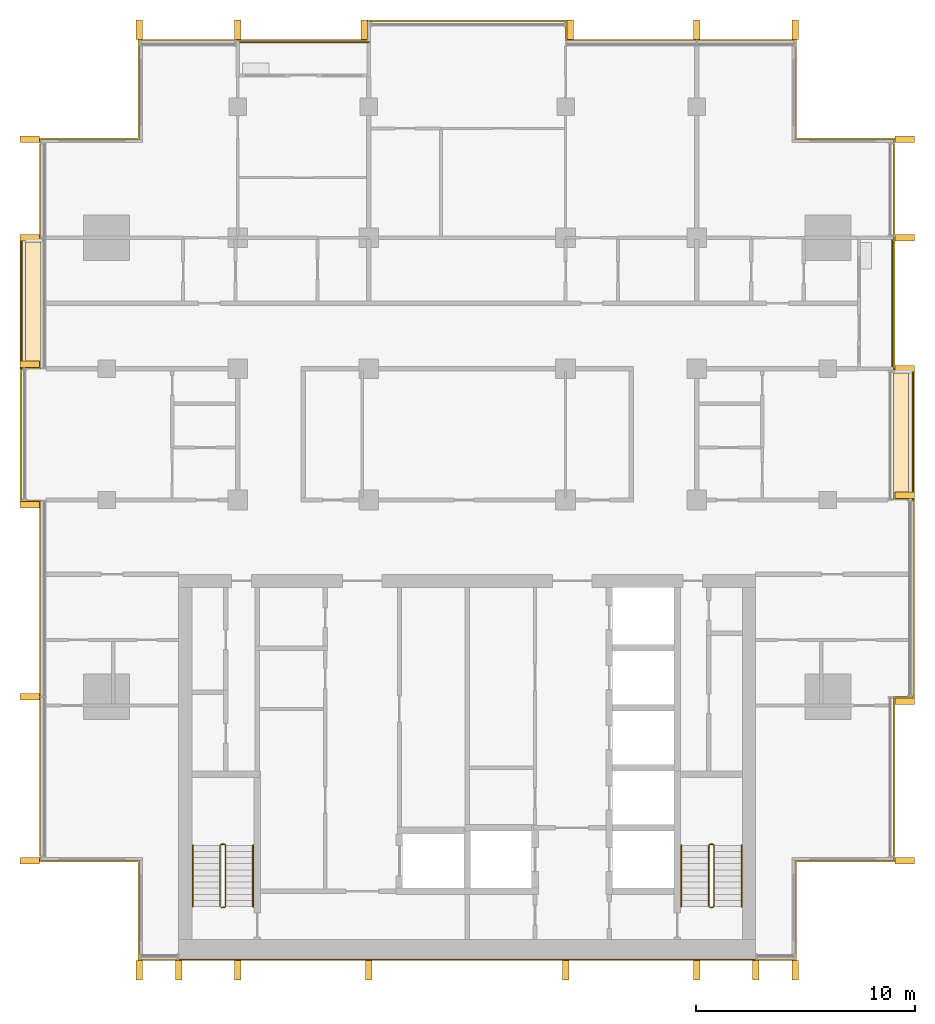
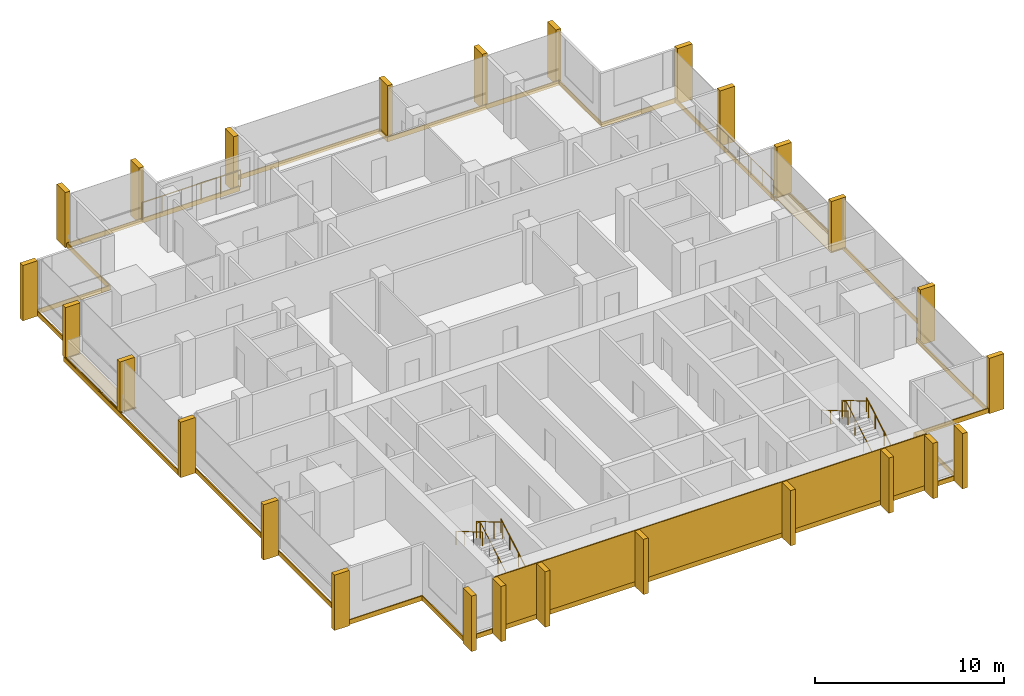
# One storey, part 16 of 16: 26 shading devices, 10 coverings, 8 railings.
"""IFC4 building model written with IfcOpenShell, lengths in metres."""

from ifc_helpers import new_model, si_unit, direction, frame, origin, origin_2d, place, context, subcontext, project, spatial, polyline, rectangle, circle, outline, extrude, material, layer, layer_set, type_object, element, save


model = new_model("IFC4")

# Units and contexts
model_context = context("Model", 3, precision=1e-05, world=origin(), true_north=direction((0.0, 1.0)))
body_context = subcontext(model_context, "Body", "Model", "MODEL_VIEW")
ifc_project = project(units=[si_unit("LENGTHUNIT", "METRE"), si_unit("AREAUNIT", "SQUARE_METRE"), si_unit("VOLUMEUNIT", "CUBIC_METRE"), si_unit("PLANEANGLEUNIT", "RADIAN"), si_unit("MASSUNIT", "GRAM", prefix="KILO")], contexts=[model_context])

# Site, building, storey
site_placement = place(None, origin())
site = spatial("IfcSite", under=ifc_project, at=site_placement, CompositionType="ELEMENT")
building_placement = place(site_placement, origin())
building = spatial("IfcBuilding", under=site, at=building_placement, Name="Finial Court Residences", CompositionType="ELEMENT")
storey_placement = place(building_placement, frame((0.0, 0.0, 237.5)))
storey = spatial("IfcBuildingStorey", under=building, at=storey_placement, Name="L60", CompositionType="ELEMENT", Elevation=237.5)

# Railings
ifc_material_1 = material(Name="Bronze anodised aluminium", Category="aluminium")
railing_type_1 = type_object("IfcRailingType", Name="Balcony guard 1100", PredefinedType="GUARDRAIL", material=ifc_material_1)
railing_1_placement = place(storey_placement, frame((-10.5, 16.449951171875, 0.0)))
element("IfcRailing", 1, at=railing_1_placement, inside=storey, type_object=railing_type_1, Name="E-L60-BALN2-R", PredefinedType="GUARDRAIL", context=body_context, shape_type="SweptSolid", body=[
    extrude(circle(Radius=0.02392578125, at=origin_2d()), frame((0.0, 0.0, 1.076171875), z_axis=(1.0, 0.0, 0.0), x_axis=(0.0, 1.0, 0.0)), (0.0, 0.0, 1.0), 6.0),
    extrude(circle(Radius=0.02099609375, at=origin_2d()), origin(), (0.0, 0.0, 1.0), 1.052001953125),
    extrude(circle(Radius=0.02099609375, at=origin_2d()), frame((1.199951171875, 0.0, 0.0)), (0.0, 0.0, 1.0), 1.052001953125),
    extrude(circle(Radius=0.02099609375, at=origin_2d()), frame((2.39990234375, 0.0, 0.0)), (0.0, 0.0, 1.0), 1.052001953125),
    extrude(circle(Radius=0.02099609375, at=origin_2d()), frame((3.60009765625, 0.0, 0.0)), (0.0, 0.0, 1.0), 1.052001953125),
    extrude(circle(Radius=0.02099609375, at=origin_2d()), frame((4.800048828125, 0.0, 0.0)), (0.0, 0.0, 1.0), 1.052001953125),
    extrude(circle(Radius=0.02099609375, at=origin_2d()), frame((6.0, 0.0, 0.0)), (0.0, 0.0, 1.0), 1.052001953125),
])
railing_2_placement = place(storey_placement, frame((19.449951171875, 1.5, 0.0)))
element("IfcRailing", 2, at=railing_2_placement, inside=storey, type_object=railing_type_1, Name="E-L60-BALE4-R", PredefinedType="GUARDRAIL", context=body_context, shape_type="SweptSolid", body=[
    extrude(circle(Radius=0.02392578125, at=origin_2d()), frame((0.0, 0.0, 1.076171875), z_axis=(0.0, 1.0, 0.0), x_axis=(-1.0, 0.0, 0.0)), (0.0, 0.0, 1.0), 6.0),
    extrude(circle(Radius=0.02099609375, at=origin_2d()), origin(), (0.0, 0.0, 1.0), 1.052001953125),
    extrude(circle(Radius=0.02099609375, at=origin_2d()), frame((0.0, 1.199951171875, 0.0)), (0.0, 0.0, 1.0), 1.052001953125),
    extrude(circle(Radius=0.02099609375, at=origin_2d()), frame((0.0, 2.39990234375, 0.0)), (0.0, 0.0, 1.0), 1.052001953125),
    extrude(circle(Radius=0.02099609375, at=origin_2d()), frame((0.0, 3.60009765625, 0.0)), (0.0, 0.0, 1.0), 1.052001953125),
    extrude(circle(Radius=0.02099609375, at=origin_2d()), frame((0.0, 4.800048828125, 0.0)), (0.0, 0.0, 1.0), 1.052001953125),
    extrude(circle(Radius=0.02099609375, at=origin_2d()), frame((0.0, 6.0, 0.0)), (0.0, 0.0, 1.0), 1.052001953125),
])

# Coverings
ifc_material_2 = material(Name="Natural limestone", Category="masonry")
ifc_layer_1 = layer(ifc_material_2, 0.06005859375)
ifc_layer_set_1 = layer_set([ifc_layer_1], Name="Limestone cladding to the blind core face 60")
covering_type_1 = type_object("IfcCoveringType", Name="Limestone cladding to the blind core face 60", PredefinedType="CLADDING", material=ifc_layer_set_1)
covering_1_placement = place(storey_placement, origin())
element("IfcCovering", 3, at=covering_1_placement, inside=storey, type_object=covering_type_1, Name="E-L60-CLAD1", PredefinedType="CLADDING", context=body_context, shape_type="SweptSolid", body=[
    extrude(outline(polyline([(-10.5, -25.56005859375), (-10.5, -25.5), (-13.199951171875, -25.5), (-13.199951171875, -25.56005859375), (-10.5, -25.56005859375)])), origin(), (0.0, 0.0, 1.0), 3.300048828125),
])
covering_2_placement = place(storey_placement, origin())
element("IfcCovering", 4, at=covering_2_placement, inside=storey, type_object=covering_type_1, Name="E-L60-CLAD2", PredefinedType="CLADDING", context=body_context, shape_type="SweptSolid", body=[
    extrude(outline(polyline([(-4.5, -25.56005859375), (-4.5, -25.5), (-10.5, -25.5), (-10.5, -25.56005859375), (-4.5, -25.56005859375)])), origin(), (0.0, 0.0, 1.0), 3.300048828125),
])
covering_3_placement = place(storey_placement, origin())
element("IfcCovering", 5, at=covering_3_placement, inside=storey, type_object=covering_type_1, Name="E-L60-CLAD3", PredefinedType="CLADDING", context=body_context, shape_type="SweptSolid", body=[
    extrude(outline(polyline([(4.5, -25.56005859375), (4.5, -25.5), (-4.5, -25.5), (-4.5, -25.56005859375), (4.5, -25.56005859375)])), origin(), (0.0, 0.0, 1.0), 3.300048828125),
])
covering_4_placement = place(storey_placement, origin())
element("IfcCovering", 6, at=covering_4_placement, inside=storey, type_object=covering_type_1, Name="E-L60-CLAD4", PredefinedType="CLADDING", context=body_context, shape_type="SweptSolid", body=[
    extrude(outline(polyline([(10.5, -25.56005859375), (10.5, -25.5), (4.5, -25.5), (4.5, -25.56005859375), (10.5, -25.56005859375)])), origin(), (0.0, 0.0, 1.0), 3.300048828125),
])
covering_5_placement = place(storey_placement, origin())
element("IfcCovering", 7, at=covering_5_placement, inside=storey, type_object=covering_type_1, Name="E-L60-CLAD5", PredefinedType="CLADDING", context=body_context, shape_type="SweptSolid", body=[
    extrude(outline(polyline([(13.199951171875, -25.56005859375), (13.199951171875, -25.5), (10.5, -25.5), (10.5, -25.56005859375), (13.199951171875, -25.56005859375)])), origin(), (0.0, 0.0, 1.0), 3.300048828125),
])

# Shading devices
shading_device_type = type_object("IfcShadingDeviceType", Name="Limestone fin 300 x 900", PredefinedType="USERDEFINED", material=ifc_material_2)
for number, where, z_axis, x_axis, name in (
    (8, (-15.0, 17.010009765625, -0.300048828125), (0.0, 0.0, 1.0), (1.0, 0.0, 0.0), "E-L60-FIN-N1"),
    (9, (-10.5, 17.010009765625, -0.300048828125), (0.0, 0.0, 1.0), (1.0, 0.0, 0.0), "E-L60-FIN-N2"),
    (10, (-4.7099609375, 17.010009765625, -0.300048828125), (0.0, 0.0, 1.0), (1.0, 0.0, 0.0), "E-L60-FIN-N3"),
    (11, (4.7099609375, 17.010009765625, -0.300048828125), (0.0, 0.0, 1.0), (1.0, 0.0, 0.0), "E-L60-FIN-N4"),
    (12, (10.5, 17.010009765625, -0.300048828125), (0.0, 0.0, 1.0), (1.0, 0.0, 0.0), "E-L60-FIN-N5"),
    (13, (15.0, 17.010009765625, -0.300048828125), (0.0, 0.0, 1.0), (1.0, 0.0, 0.0), "E-L60-FIN-N6"),
):
    element("IfcShadingDevice", number, at=place(storey_placement, frame(where, z_axis=z_axis, x_axis=x_axis)), inside=storey, type_object=shading_device_type, Name=name, ObjectType="FIN", PredefinedType="USERDEFINED", context=body_context, shape_type="SweptSolid", body=[
        extrude(rectangle(XDim=0.300048828125, YDim=0.89990234375, at=origin_2d()), origin(), (0.0, 0.0, 1.0), 3.580078125),
    ])
for number, where, z_axis, x_axis, name in (
    (14, (20.010009765625, -21.0, -0.300048828125), (0.0, 0.0, 1.0), (1.0, 0.0, 0.0), "E-L60-FIN-E7"),
    (15, (20.010009765625, -13.7099609375, -0.300048828125), (0.0, 0.0, 1.0), (1.0, 0.0, 0.0), "E-L60-FIN-E8"),
):
    element("IfcShadingDevice", number, at=place(storey_placement, frame(where, z_axis=z_axis, x_axis=x_axis)), inside=storey, type_object=shading_device_type, Name=name, ObjectType="FIN", PredefinedType="USERDEFINED", context=body_context, shape_type="SweptSolid", body=[
        extrude(rectangle(XDim=0.89990234375, YDim=0.300048828125, at=origin_2d()), origin(), (0.0, 0.0, 1.0), 3.580078125),
    ])
for number, where, z_axis, x_axis, name in (
    (16, (20.010009765625, -4.2900390625, 0.0400390625), (0.0, 0.0, 1.0), (1.0, 0.0, 0.0), "E-L60-FIN-E9"),
    (17, (20.010009765625, 1.5, 0.0400390625), (0.0, 0.0, 1.0), (1.0, 0.0, 0.0), "E-L60-FIN-E10"),
):
    element("IfcShadingDevice", number, at=place(storey_placement, frame(where, z_axis=z_axis, x_axis=x_axis)), inside=storey, type_object=shading_device_type, Name=name, ObjectType="FIN", PredefinedType="USERDEFINED", context=body_context, shape_type="SweptSolid", body=[
        extrude(rectangle(XDim=0.89990234375, YDim=0.300048828125, at=origin_2d()), origin(), (0.0, 0.0, 1.0), 3.239990234375),
    ])
for number, where, z_axis, x_axis, name in (
    (18, (20.010009765625, 7.5, -0.300048828125), (0.0, 0.0, 1.0), (1.0, 0.0, 0.0), "E-L60-FIN-E11"),
    (19, (20.010009765625, 12.0, -0.300048828125), (0.0, 0.0, 1.0), (1.0, 0.0, 0.0), "E-L60-FIN-E12"),
):
    element("IfcShadingDevice", number, at=place(storey_placement, frame(where, z_axis=z_axis, x_axis=x_axis)), inside=storey, type_object=shading_device_type, Name=name, ObjectType="FIN", PredefinedType="USERDEFINED", context=body_context, shape_type="SweptSolid", body=[
        extrude(rectangle(XDim=0.89990234375, YDim=0.300048828125, at=origin_2d()), origin(), (0.0, 0.0, 1.0), 3.580078125),
    ])
for number, where, z_axis, x_axis, name in (
    (20, (-15.0, -26.010009765625, -0.300048828125), (0.0, 0.0, 1.0), (1.0, 0.0, 0.0), "E-L60-FIN-S13"),
    (21, (-13.199951171875, -26.010009765625, -0.300048828125), (0.0, 0.0, 1.0), (1.0, 0.0, 0.0), "E-L60-FIN-S14"),
    (22, (-10.5, -26.010009765625, -0.300048828125), (0.0, 0.0, 1.0), (1.0, 0.0, 0.0), "E-L60-FIN-S15"),
    (23, (-4.5, -26.010009765625, -0.300048828125), (0.0, 0.0, 1.0), (1.0, 0.0, 0.0), "E-L60-FIN-S16"),
    (24, (4.5, -26.010009765625, -0.300048828125), (0.0, 0.0, 1.0), (1.0, 0.0, 0.0), "E-L60-FIN-S17"),
    (25, (10.5, -26.010009765625, -0.300048828125), (0.0, 0.0, 1.0), (1.0, 0.0, 0.0), "E-L60-FIN-S18"),
    (26, (13.199951171875, -26.010009765625, -0.300048828125), (0.0, 0.0, 1.0), (1.0, 0.0, 0.0), "E-L60-FIN-S19"),
    (27, (15.0, -26.010009765625, -0.300048828125), (0.0, 0.0, 1.0), (1.0, 0.0, 0.0), "E-L60-FIN-S20"),
):
    element("IfcShadingDevice", number, at=place(storey_placement, frame(where, z_axis=z_axis, x_axis=x_axis)), inside=storey, type_object=shading_device_type, Name=name, ObjectType="FIN", PredefinedType="USERDEFINED", context=body_context, shape_type="SweptSolid", body=[
        extrude(rectangle(XDim=0.300048828125, YDim=0.89990234375, at=origin_2d()), origin(), (0.0, 0.0, 1.0), 3.580078125),
    ])
for number, where, z_axis, x_axis, name in (
    (28, (-20.010009765625, -21.0, -0.300048828125), (0.0, 0.0, 1.0), (1.0, 0.0, 0.0), "E-L60-FIN-W21"),
    (29, (-20.010009765625, -13.5, -0.300048828125), (0.0, 0.0, 1.0), (1.0, 0.0, 0.0), "E-L60-FIN-W22"),
    (30, (-20.010009765625, -4.7099609375, -0.300048828125), (0.0, 0.0, 1.0), (1.0, 0.0, 0.0), "E-L60-FIN-W23"),
):
    element("IfcShadingDevice", number, at=place(storey_placement, frame(where, z_axis=z_axis, x_axis=x_axis)), inside=storey, type_object=shading_device_type, Name=name, ObjectType="FIN", PredefinedType="USERDEFINED", context=body_context, shape_type="SweptSolid", body=[
        extrude(rectangle(XDim=0.89990234375, YDim=0.300048828125, at=origin_2d()), origin(), (0.0, 0.0, 1.0), 3.580078125),
    ])
for number, where, z_axis, x_axis, name in (
    (31, (-20.010009765625, 1.7099609375, 0.0400390625), (0.0, 0.0, 1.0), (1.0, 0.0, 0.0), "E-L60-FIN-W24"),
    (32, (-20.010009765625, 7.5, 0.0400390625), (0.0, 0.0, 1.0), (1.0, 0.0, 0.0), "E-L60-FIN-W25"),
):
    element("IfcShadingDevice", number, at=place(storey_placement, frame(where, z_axis=z_axis, x_axis=x_axis)), inside=storey, type_object=shading_device_type, Name=name, ObjectType="FIN", PredefinedType="USERDEFINED", context=body_context, shape_type="SweptSolid", body=[
        extrude(rectangle(XDim=0.89990234375, YDim=0.300048828125, at=origin_2d()), origin(), (0.0, 0.0, 1.0), 3.239990234375),
    ])
shading_device_placement = place(storey_placement, frame((-20.010009765625, 12.0, -0.300048828125), z_axis=(0.0, 0.0, 1.0), x_axis=(1.0, 0.0, 0.0)))
element("IfcShadingDevice", 33, at=shading_device_placement, inside=storey, type_object=shading_device_type, Name="E-L60-FIN-W26", ObjectType="FIN", PredefinedType="USERDEFINED", context=body_context, shape_type="SweptSolid", body=[
    extrude(rectangle(XDim=0.89990234375, YDim=0.300048828125, at=origin_2d()), origin(), (0.0, 0.0, 1.0), 3.580078125),
])

# Coverings
ifc_material_3 = material(Name="Pale limestone", Category="masonry")
ifc_layer_2 = layer(ifc_material_3, 0.06005859375)
ifc_layer_set_2 = layer_set([ifc_layer_2], Name="Pale limestone slab-edge band 60")
covering_type_2 = type_object("IfcCoveringType", Name="Pale limestone slab-edge band 60", PredefinedType="CLADDING", material=ifc_layer_set_2)
covering_6_placement = place(storey_placement, frame((0.0, 0.0, -0.300048828125)))
element("IfcCovering", 34, at=covering_6_placement, inside=storey, type_object=covering_type_2, Name="E-L60-BAND1", PredefinedType="CLADDING", context=body_context, shape_type="SweptSolid", body=[
    extrude(outline(polyline([(15.06005859375, -25.56005859375), (-15.06005859375, -25.56005859375), (-15.06005859375, -21.06005859375), (-19.56005859375, -21.06005859375), (-19.56005859375, -4.56005859375), (-20.4599609375, -4.56005859375), (-20.4599609375, 7.56005859375), (-19.56005859375, 7.56005859375), (-19.56005859375, 12.06005859375), (-15.06005859375, 12.06005859375), (-15.06005859375, 16.56005859375), (-4.56005859375, 16.56005859375), (-4.56005859375, 17.4599609375), (4.56005859375, 17.4599609375), (4.56005859375, 16.56005859375), (15.06005859375, 16.56005859375), (15.06005859375, 12.06005859375), (19.56005859375, 12.06005859375), (19.56005859375, 1.56005859375), (20.4599609375, 1.56005859375), (20.4599609375, -13.56005859375), (19.56005859375, -13.56005859375), (19.56005859375, -21.06005859375), (15.06005859375, -21.06005859375), (15.06005859375, -25.56005859375)]), holes=[polyline([(19.5, -21.0), (19.5, -13.5), (20.39990234375, -13.5), (20.39990234375, -4.5), (20.39990234375, 1.5), (19.5, 1.5), (19.5, 7.5), (19.5, 12.0), (15.0, 12.0), (15.0, 16.5), (4.5, 16.5), (4.5, 17.39990234375), (-4.5, 17.39990234375), (-4.5, 16.5), (-10.5, 16.5), (-15.0, 16.5), (-15.0, 12.0), (-19.5, 12.0), (-19.5, 7.5), (-20.39990234375, 7.5), (-20.39990234375, 1.5), (-20.39990234375, -4.5), (-19.5, -4.5), (-19.5, -21.0), (-15.0, -21.0), (-15.0, -25.5), (15.0, -25.5), (15.0, -21.0), (19.5, -21.0)])]), origin(), (0.0, 0.0, 1.0), 0.300048828125),
])
ifc_material_4 = material(Name="Bitumen membrane")
ifc_layer_3 = layer(ifc_material_4, 0.0400390625)
ifc_layer_set_3 = layer_set([ifc_layer_3], Name="Push box roofing, bitumen membrane 40")
covering_type_3 = type_object("IfcCoveringType", Name="Push box roofing, bitumen membrane 40", PredefinedType="ROOFING", material=ifc_layer_set_3)
covering_7_placement = place(storey_placement, origin())
element("IfcCovering", 35, at=covering_7_placement, inside=storey, type_object=covering_type_3, Name="E-L60-LED1", PredefinedType="ROOFING", context=body_context, shape_type="SweptSolid", body=[
    extrude(outline(polyline([(-19.5, 7.449951171875), (-20.199951171875, 7.449951171875), (-20.35009765625, 7.449951171875), (-20.35009765625, 1.5), (-20.39990234375, 1.5), (-20.39990234375, 7.5), (-19.5, 7.5), (-19.5, 7.449951171875)])), origin(), (0.0, 0.0, 1.0), 0.0400390625),
])
covering_8_placement = place(storey_placement, origin())
element("IfcCovering", 36, at=covering_8_placement, inside=storey, type_object=covering_type_3, Name="E-L60-LED1b", PredefinedType="ROOFING", context=body_context, shape_type="SweptSolid", body=[
    extrude(outline(polyline([(-19.5, 1.5), (-20.199951171875, 1.5), (-20.199951171875, 7.300048828125), (-19.5, 7.300048828125), (-19.5, 1.5)])), origin(), (0.0, 0.0, 1.0), 0.0400390625),
])
covering_9_placement = place(storey_placement, origin())
element("IfcCovering", 37, at=covering_9_placement, inside=storey, type_object=covering_type_3, Name="E-L60-LED2", PredefinedType="ROOFING", context=body_context, shape_type="SweptSolid", body=[
    extrude(outline(polyline([(19.5, 1.300048828125), (20.199951171875, 1.300048828125), (20.199951171875, -4.5), (19.5, -4.5), (19.5, 1.300048828125)])), origin(), (0.0, 0.0, 1.0), 0.0400390625),
])
covering_10_placement = place(storey_placement, origin())
element("IfcCovering", 38, at=covering_10_placement, inside=storey, type_object=covering_type_3, Name="E-L60-LED2b", PredefinedType="ROOFING", context=body_context, shape_type="SweptSolid", body=[
    extrude(outline(polyline([(19.5, 1.5), (20.39990234375, 1.5), (20.39990234375, -4.5), (20.35009765625, -4.5), (20.35009765625, 1.300048828125), (20.35009765625, 1.300048828125), (20.35009765625, 1.449951171875), (19.5, 1.449951171875), (19.5, 1.5)])), origin(), (0.0, 0.0, 1.0), 0.0400390625),
])

# Railings
ifc_material_5 = material(Name="Stainless steel railing", Category="steel")
railing_type_2 = type_object("IfcRailingType", Name="Stair guard 1100", PredefinedType="GUARDRAIL", material=ifc_material_5)
railing_3_placement = place(storey_placement, frame((-11.10009765625, -23.14990234375, 0.0)))
element("IfcRailing", 39, at=railing_3_placement, inside=storey, type_object=railing_type_2, Name="L60 ST-1 stair guard 1", PredefinedType="GUARDRAIL", context=body_context, shape_type="SweptSolid", body=[
    extrude(circle(Radius=0.02392578125, at=origin_2d()), frame((0.0, 0.0, 1.076171875), z_axis=(-1.0, 0.0, 0.0), x_axis=(0.0, -1.0, 0.0)), (0.0, 0.0, 1.0), 0.14990234375),
    extrude(circle(Radius=0.02392578125, at=origin_2d()), frame((-0.14990234375, 0.0, 1.076171875), z_axis=(0.760004195007, 0.189305074214, 0.621737253547), x_axis=(-0.241699205484, 0.970351222016, 0.0)), (0.0, 0.0, 1.0), 0.26318359375),
    extrude(circle(Radius=0.02392578125, at=origin_2d()), frame((0.050048828125, 0.0498046875, 1.23974609375), z_axis=(0.0, 0.863360870873, 0.504586966384), x_axis=(-1.0, 0.0, 0.0)), (0.0, 0.0, 1.0), 3.2431640625),
    extrude(circle(Radius=0.02392578125, at=origin_2d()), frame((0.050048828125, 2.849853515625, 2.8759765625), z_axis=(-0.707106781187, 0.707106781187, 0.0), x_axis=(-0.707106781187, -0.707106781187, 0.0)), (0.0, 0.0, 1.0), 0.07080078125),
    extrude(circle(Radius=0.02392578125, at=origin_2d()), frame((0.0, 2.89990234375, 2.8759765625), z_axis=(-1.0, 0.0, 0.0), x_axis=(0.0, -1.0, 0.0)), (0.0, 0.0, 1.0), 0.14990234375),
    extrude(circle(Radius=0.02392578125, at=origin_2d()), frame((-0.14990234375, 2.89990234375, 2.8759765625), z_axis=(-0.280808744504, -0.280808744504, 0.917765164963), x_axis=(0.707106781187, -0.707106781187, 0.0)), (0.0, 0.0, 1.0), 0.17822265625),
    extrude(circle(Radius=0.02392578125, at=origin_2d()), frame((-0.199951171875, 2.849853515625, 3.03955078125), z_axis=(0.0, -0.863360870873, 0.504586966384), x_axis=(1.0, 0.0, 0.0)), (0.0, 0.0, 1.0), 3.2431640625),
    extrude(circle(Radius=0.02099609375, at=origin_2d()), origin(), (0.0, 0.0, 1.0), 1.052001953125),
    extrude(circle(Radius=0.02099609375, at=origin_2d()), frame((-0.14990234375, 0.0, 0.0)), (0.0, 0.0, 1.0), 1.052001953125),
    extrude(circle(Radius=0.02099609375, at=origin_2d()), frame((0.050048828125, 0.0498046875, 0.16357421875)), (0.0, 0.0, 1.0), 1.052001953125),
    extrude(circle(Radius=0.02099609375, at=origin_2d()), frame((0.050048828125, 0.983154296875, 0.708984375)), (0.0, 0.0, 1.0), 1.052001953125),
    extrude(circle(Radius=0.02099609375, at=origin_2d()), frame((0.050048828125, 1.91650390625, 1.254638671875)), (0.0, 0.0, 1.0), 1.052001953125),
    extrude(circle(Radius=0.02099609375, at=origin_2d()), frame((0.050048828125, 2.849853515625, 1.800048828125)), (0.0, 0.0, 1.0), 1.052001953125),
    extrude(circle(Radius=0.02099609375, at=origin_2d()), frame((0.0, 2.89990234375, 1.800048828125)), (0.0, 0.0, 1.0), 1.052001953125),
    extrude(circle(Radius=0.02099609375, at=origin_2d()), frame((-0.14990234375, 2.89990234375, 1.800048828125)), (0.0, 0.0, 1.0), 1.052001953125),
    extrude(circle(Radius=0.02099609375, at=origin_2d()), frame((-0.199951171875, 2.849853515625, 1.963623046875)), (0.0, 0.0, 1.0), 1.052001953125),
    extrude(circle(Radius=0.02099609375, at=origin_2d()), frame((-0.199951171875, 1.91650390625, 2.509033203125)), (0.0, 0.0, 1.0), 1.052001953125),
    extrude(circle(Radius=0.02099609375, at=origin_2d()), frame((-0.199951171875, 0.983154296875, 3.0546875)), (0.0, 0.0, 1.0), 1.052001953125),
    extrude(circle(Radius=0.02099609375, at=origin_2d()), frame((-0.199951171875, 0.0498046875, 3.60009765625)), (0.0, 0.0, 1.0), 1.052001953125),
])
railing_4_placement = place(storey_placement, frame((11.25, -23.14990234375, 0.0)))
element("IfcRailing", 40, at=railing_4_placement, inside=storey, type_object=railing_type_2, Name="L60 ST-2 stair guard 1", PredefinedType="GUARDRAIL", context=body_context, shape_type="SweptSolid", body=[
    extrude(circle(Radius=0.02392578125, at=origin_2d()), frame((0.0, 0.0, 1.076171875), z_axis=(-1.0, 0.0, 0.0), x_axis=(0.0, -1.0, 0.0)), (0.0, 0.0, 1.0), 0.14990234375),
    extrude(circle(Radius=0.02392578125, at=origin_2d()), frame((-0.14990234375, 0.0, 1.076171875), z_axis=(0.760004195007, 0.189305074214, 0.621737253547), x_axis=(-0.241699205484, 0.970351222016, 0.0)), (0.0, 0.0, 1.0), 0.26318359375),
    extrude(circle(Radius=0.02392578125, at=origin_2d()), frame((0.050048828125, 0.0498046875, 1.23974609375), z_axis=(0.0, 0.863360870873, 0.504586966384), x_axis=(-1.0, 0.0, 0.0)), (0.0, 0.0, 1.0), 3.2431640625),
    extrude(circle(Radius=0.02392578125, at=origin_2d()), frame((0.050048828125, 2.849853515625, 2.8759765625), z_axis=(-0.707106781187, 0.707106781187, 0.0), x_axis=(-0.707106781187, -0.707106781187, 0.0)), (0.0, 0.0, 1.0), 0.07080078125),
    extrude(circle(Radius=0.02392578125, at=origin_2d()), frame((0.0, 2.89990234375, 2.8759765625), z_axis=(-1.0, 0.0, 0.0), x_axis=(0.0, -1.0, 0.0)), (0.0, 0.0, 1.0), 0.14990234375),
    extrude(circle(Radius=0.02392578125, at=origin_2d()), frame((-0.14990234375, 2.89990234375, 2.8759765625), z_axis=(-0.280808744504, -0.280808744504, 0.917765164963), x_axis=(0.707106781187, -0.707106781187, 0.0)), (0.0, 0.0, 1.0), 0.17822265625),
    extrude(circle(Radius=0.02392578125, at=origin_2d()), frame((-0.199951171875, 2.849853515625, 3.03955078125), z_axis=(0.0, -0.863360870873, 0.504586966384), x_axis=(1.0, 0.0, 0.0)), (0.0, 0.0, 1.0), 3.2431640625),
    extrude(circle(Radius=0.02099609375, at=origin_2d()), origin(), (0.0, 0.0, 1.0), 1.052001953125),
    extrude(circle(Radius=0.02099609375, at=origin_2d()), frame((-0.14990234375, 0.0, 0.0)), (0.0, 0.0, 1.0), 1.052001953125),
    extrude(circle(Radius=0.02099609375, at=origin_2d()), frame((0.050048828125, 0.0498046875, 0.16357421875)), (0.0, 0.0, 1.0), 1.052001953125),
    extrude(circle(Radius=0.02099609375, at=origin_2d()), frame((0.050048828125, 0.983154296875, 0.708984375)), (0.0, 0.0, 1.0), 1.052001953125),
    extrude(circle(Radius=0.02099609375, at=origin_2d()), frame((0.050048828125, 1.91650390625, 1.254638671875)), (0.0, 0.0, 1.0), 1.052001953125),
    extrude(circle(Radius=0.02099609375, at=origin_2d()), frame((0.050048828125, 2.849853515625, 1.800048828125)), (0.0, 0.0, 1.0), 1.052001953125),
    extrude(circle(Radius=0.02099609375, at=origin_2d()), frame((0.0, 2.89990234375, 1.800048828125)), (0.0, 0.0, 1.0), 1.052001953125),
    extrude(circle(Radius=0.02099609375, at=origin_2d()), frame((-0.14990234375, 2.89990234375, 1.800048828125)), (0.0, 0.0, 1.0), 1.052001953125),
    extrude(circle(Radius=0.02099609375, at=origin_2d()), frame((-0.199951171875, 2.849853515625, 1.963623046875)), (0.0, 0.0, 1.0), 1.052001953125),
    extrude(circle(Radius=0.02099609375, at=origin_2d()), frame((-0.199951171875, 1.91650390625, 2.509033203125)), (0.0, 0.0, 1.0), 1.052001953125),
    extrude(circle(Radius=0.02099609375, at=origin_2d()), frame((-0.199951171875, 0.983154296875, 3.0546875)), (0.0, 0.0, 1.0), 1.052001953125),
    extrude(circle(Radius=0.02099609375, at=origin_2d()), frame((-0.199951171875, 0.0498046875, 3.60009765625)), (0.0, 0.0, 1.0), 1.052001953125),
])
railing_type_3 = type_object("IfcRailingType", Name="Stair handrail 900", PredefinedType="HANDRAIL", material=ifc_material_5)
railing_5_placement = place(storey_placement, frame((-9.800048828125, -23.10009765625, 0.16357421875)))
element("IfcRailing", 41, at=railing_5_placement, inside=storey, type_object=railing_type_3, Name="L60 ST-1 stair handrail 1", PredefinedType="HANDRAIL", context=body_context, shape_type="SweptSolid", body=[
    extrude(circle(Radius=0.02392578125, at=origin_2d()), frame((0.0, 0.0, 0.8759765625), z_axis=(0.0, 0.863360870873, 0.504586966384), x_axis=(-1.0, 0.0, 0.0)), (0.0, 0.0, 1.0), 3.2431640625),
    extrude(circle(Radius=0.02099609375, at=origin_2d()), origin(), (0.0, 0.0, 1.0), 0.851806640625),
    extrude(circle(Radius=0.02099609375, at=origin_2d()), frame((0.0, 0.933349609375, 0.54541015625)), (0.0, 0.0, 1.0), 0.851806640625),
    extrude(circle(Radius=0.02099609375, at=origin_2d()), frame((0.0, 1.86669921875, 1.091064453125)), (0.0, 0.0, 1.0), 0.851806640625),
    extrude(circle(Radius=0.02099609375, at=origin_2d()), frame((0.0, 2.800048828125, 1.636474609375)), (0.0, 0.0, 1.0), 0.851806640625),
])
railing_6_placement = place(storey_placement, frame((-12.550048828125, -20.300048828125, 1.963623046875)))
element("IfcRailing", 42, at=railing_6_placement, inside=storey, type_object=railing_type_3, Name="L60 ST-1 stair handrail 2", PredefinedType="HANDRAIL", context=body_context, shape_type="SweptSolid", body=[
    extrude(circle(Radius=0.02392578125, at=origin_2d()), frame((0.0, 0.0, 0.8759765625), z_axis=(0.0, -0.863360870873, 0.504586966384), x_axis=(1.0, 0.0, 0.0)), (0.0, 0.0, 1.0), 3.2431640625),
    extrude(circle(Radius=0.02099609375, at=origin_2d()), origin(), (0.0, 0.0, 1.0), 0.851806640625),
    extrude(circle(Radius=0.02099609375, at=origin_2d()), frame((0.0, -0.933349609375, 0.54541015625)), (0.0, 0.0, 1.0), 0.851806640625),
    extrude(circle(Radius=0.02099609375, at=origin_2d()), frame((0.0, -1.86669921875, 1.091064453125)), (0.0, 0.0, 1.0), 0.851806640625),
    extrude(circle(Radius=0.02099609375, at=origin_2d()), frame((0.0, -2.800048828125, 1.636474609375)), (0.0, 0.0, 1.0), 0.851806640625),
])
railing_7_placement = place(storey_placement, frame((12.550048828125, -23.10009765625, 0.16357421875)))
element("IfcRailing", 43, at=railing_7_placement, inside=storey, type_object=railing_type_3, Name="L60 ST-2 stair handrail 1", PredefinedType="HANDRAIL", context=body_context, shape_type="SweptSolid", body=[
    extrude(circle(Radius=0.02392578125, at=origin_2d()), frame((0.0, 0.0, 0.8759765625), z_axis=(0.0, 0.863360870873, 0.504586966384), x_axis=(-1.0, 0.0, 0.0)), (0.0, 0.0, 1.0), 3.2431640625),
    extrude(circle(Radius=0.02099609375, at=origin_2d()), origin(), (0.0, 0.0, 1.0), 0.851806640625),
    extrude(circle(Radius=0.02099609375, at=origin_2d()), frame((0.0, 0.933349609375, 0.54541015625)), (0.0, 0.0, 1.0), 0.851806640625),
    extrude(circle(Radius=0.02099609375, at=origin_2d()), frame((0.0, 1.86669921875, 1.091064453125)), (0.0, 0.0, 1.0), 0.851806640625),
    extrude(circle(Radius=0.02099609375, at=origin_2d()), frame((0.0, 2.800048828125, 1.636474609375)), (0.0, 0.0, 1.0), 0.851806640625),
])
railing_8_placement = place(storey_placement, frame((9.800048828125, -20.300048828125, 1.963623046875)))
element("IfcRailing", 44, at=railing_8_placement, inside=storey, type_object=railing_type_3, Name="L60 ST-2 stair handrail 2", PredefinedType="HANDRAIL", context=body_context, shape_type="SweptSolid", body=[
    extrude(circle(Radius=0.02392578125, at=origin_2d()), frame((0.0, 0.0, 0.8759765625), z_axis=(0.0, -0.863360870873, 0.504586966384), x_axis=(1.0, 0.0, 0.0)), (0.0, 0.0, 1.0), 3.2431640625),
    extrude(circle(Radius=0.02099609375, at=origin_2d()), origin(), (0.0, 0.0, 1.0), 0.851806640625),
    extrude(circle(Radius=0.02099609375, at=origin_2d()), frame((0.0, -0.933349609375, 0.54541015625)), (0.0, 0.0, 1.0), 0.851806640625),
    extrude(circle(Radius=0.02099609375, at=origin_2d()), frame((0.0, -1.86669921875, 1.091064453125)), (0.0, 0.0, 1.0), 0.851806640625),
    extrude(circle(Radius=0.02099609375, at=origin_2d()), frame((0.0, -2.800048828125, 1.636474609375)), (0.0, 0.0, 1.0), 0.851806640625),
])

save(model, "model.ifc")
